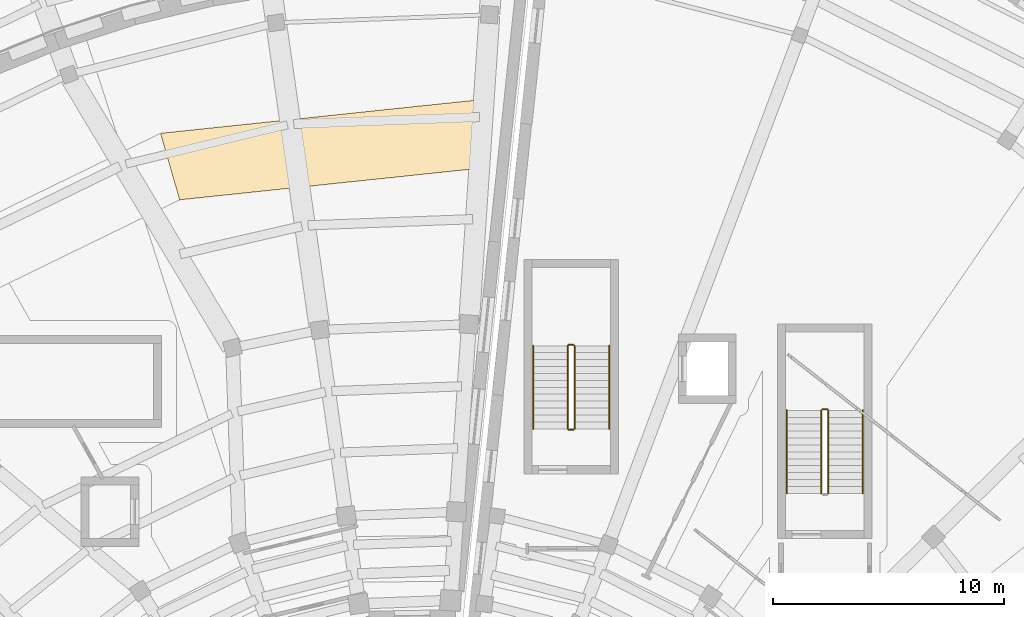
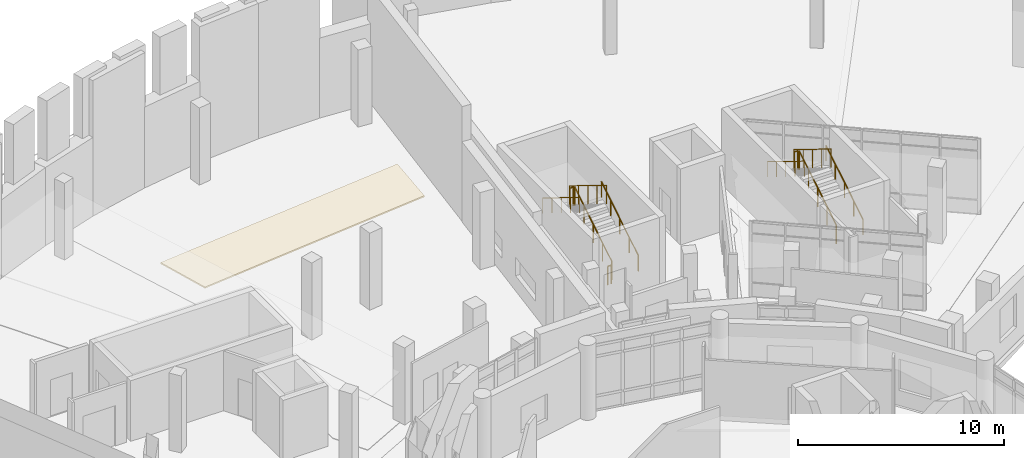
# One storey, part 47 of 49: 11 railings, 1 covering.
"""IFC4 building model written with IfcOpenShell, lengths in metres."""

from ifc_helpers import new_model, si_unit, direction, frame, origin, origin_2d, place, context, subcontext, project, spatial, polyline, circle, outline, extrude, material, layer, layer_set, type_object, element, save


model = new_model("IFC4")

# Units and contexts
model_context = context("Model", 3, precision=1e-05, world=origin(), true_north=direction((0.0, 1.0)))
body_context = subcontext(model_context, "Body", "Model", "MODEL_VIEW")
ifc_project = project(units=[si_unit("LENGTHUNIT", "METRE"), si_unit("AREAUNIT", "SQUARE_METRE"), si_unit("VOLUMEUNIT", "CUBIC_METRE"), si_unit("PLANEANGLEUNIT", "RADIAN"), si_unit("MASSUNIT", "GRAM", prefix="KILO")], contexts=[model_context])

# Site, building, storey
site_placement = place(None, origin())
site = spatial("IfcSite", under=ifc_project, at=site_placement, CompositionType="ELEMENT")
building_placement = place(site_placement, origin())
building = spatial("IfcBuilding", under=site, at=building_placement, Name="Soyqirgoq Riverine Aquarium", CompositionType="ELEMENT")
storey_placement = place(building_placement, frame((0.0, 0.0, 15.0)))
storey = spatial("IfcBuildingStorey", under=building, at=storey_placement, Name="L04", CompositionType="ELEMENT", Elevation=15.0)

# Covering
ifc_material_1 = material(Name="Perforated anodised aluminium travertine-tone soffit", Category="masonry")
ifc_layer = layer(ifc_material_1, 0.080078125)
ifc_layer_set = layer_set([ifc_layer], Name="Perforated anodised aluminium travertine-tone soffit")
covering_type = type_object("IfcCoveringType", Name="PrairieEaveSoffit_80", PredefinedType="CLADDING", material=ifc_layer_set)
covering_placement = place(storey_placement, frame((0.0, 0.0, -0.360107421875)))
element("IfcCovering", 1, at=covering_placement, inside=storey, type_object=covering_type, Name="V4 L04 Prairie Eave Travertine Soffit 05", PredefinedType="CLADDING", context=body_context, shape_type="SweptSolid", body=[
    extrude(outline(polyline([(58.650634765625, 94.907470703125), (58.860107421875, 97.900146484375), (44.698974609375, 96.41162109375), (45.52587890625, 93.52783203125), (58.650634765625, 94.907470703125)])), origin(), (0.0, 0.0, 1.0), 0.080078125),
])

# Railings
ifc_material_2 = material(Name="Brushed stainless steel 316L tubular handrail", Category="steel")
railing_type_1 = type_object("IfcRailingType", Name="StairPitchHandrail_920", PredefinedType="HANDRAIL", material=ifc_material_2)
railing_1_placement = place(storey_placement, frame((64.14990234375, 83.60009765625, 0.1845703125)))
element("IfcRailing", 2, at=railing_1_placement, inside=storey, type_object=railing_type_1, Name="L04 ST-5 stair handrail 1", PredefinedType="HANDRAIL", context=body_context, shape_type="SweptSolid", body=[
    extrude(circle(Radius=0.02392578125, at=origin_2d()), frame((0.0, 0.0, 0.89990234375), z_axis=(0.0, 0.851654350407, 0.524103870844), x_axis=(-1.0, 0.0, 0.0)), (0.0, 0.0, 1.0), 4.226806640625),
    extrude(circle(Radius=0.02099609375, at=origin_2d()), origin(), (0.0, 0.0, 1.0), 0.875732421875),
    extrude(circle(Radius=0.02099609375, at=origin_2d()), frame((0.0, 0.89990234375, 0.5537109375)), (0.0, 0.0, 1.0), 0.875732421875),
    extrude(circle(Radius=0.02099609375, at=origin_2d()), frame((0.0, 1.7998046875, 1.107666015625)), (0.0, 0.0, 1.0), 0.875732421875),
    extrude(circle(Radius=0.02099609375, at=origin_2d()), frame((0.0, 2.699951171875, 1.66162109375)), (0.0, 0.0, 1.0), 0.875732421875),
    extrude(circle(Radius=0.02099609375, at=origin_2d()), frame((0.0, 3.599853515625, 2.21533203125)), (0.0, 0.0, 1.0), 0.875732421875),
])
railing_2_placement = place(storey_placement, frame((60.85009765625, 87.199951171875, 2.584716796875)))
element("IfcRailing", 3, at=railing_2_placement, inside=storey, type_object=railing_type_1, Name="L04 ST-5 stair handrail 2", PredefinedType="HANDRAIL", context=body_context, shape_type="SweptSolid", body=[
    extrude(circle(Radius=0.02392578125, at=origin_2d()), frame((0.0, 0.0, 0.89990234375), z_axis=(0.0, -0.851654350407, 0.524103870844), x_axis=(1.0, 0.0, 0.0)), (0.0, 0.0, 1.0), 4.226806640625),
    extrude(circle(Radius=0.02099609375, at=origin_2d()), origin(), (0.0, 0.0, 1.0), 0.875732421875),
    extrude(circle(Radius=0.02099609375, at=origin_2d()), frame((0.0, -0.89990234375, 0.5537109375)), (0.0, 0.0, 1.0), 0.875732421875),
    extrude(circle(Radius=0.02099609375, at=origin_2d()), frame((0.0, -1.7998046875, 1.107666015625)), (0.0, 0.0, 1.0), 0.875732421875),
    extrude(circle(Radius=0.02099609375, at=origin_2d()), frame((0.0, -2.699951171875, 1.66162109375)), (0.0, 0.0, 1.0), 0.875732421875),
    extrude(circle(Radius=0.02099609375, at=origin_2d()), frame((0.0, -3.599853515625, 2.21533203125)), (0.0, 0.0, 1.0), 0.875732421875),
])
railing_3_placement = place(storey_placement, frame((75.14990234375, 80.800048828125, 0.1845703125)))
element("IfcRailing", 4, at=railing_3_placement, inside=storey, type_object=railing_type_1, Name="L04 ST-6 stair handrail 1", PredefinedType="HANDRAIL", context=body_context, shape_type="SweptSolid", body=[
    extrude(circle(Radius=0.02392578125, at=origin_2d()), frame((0.0, 0.0, 0.89990234375), z_axis=(0.0, 0.851654350407, 0.524103870844), x_axis=(-1.0, 0.0, 0.0)), (0.0, 0.0, 1.0), 4.226806640625),
    extrude(circle(Radius=0.02099609375, at=origin_2d()), origin(), (0.0, 0.0, 1.0), 0.875732421875),
    extrude(circle(Radius=0.02099609375, at=origin_2d()), frame((0.0, 0.89990234375, 0.5537109375)), (0.0, 0.0, 1.0), 0.875732421875),
    extrude(circle(Radius=0.02099609375, at=origin_2d()), frame((0.0, 1.7998046875, 1.107666015625)), (0.0, 0.0, 1.0), 0.875732421875),
    extrude(circle(Radius=0.02099609375, at=origin_2d()), frame((0.0, 2.699951171875, 1.66162109375)), (0.0, 0.0, 1.0), 0.875732421875),
    extrude(circle(Radius=0.02099609375, at=origin_2d()), frame((0.0, 3.599853515625, 2.21533203125)), (0.0, 0.0, 1.0), 0.875732421875),
])
railing_4_placement = place(storey_placement, frame((71.85009765625, 84.39990234375, 2.584716796875)))
element("IfcRailing", 5, at=railing_4_placement, inside=storey, type_object=railing_type_1, Name="L04 ST-6 stair handrail 2", PredefinedType="HANDRAIL", context=body_context, shape_type="SweptSolid", body=[
    extrude(circle(Radius=0.02392578125, at=origin_2d()), frame((0.0, 0.0, 0.89990234375), z_axis=(0.0, -0.851654350407, 0.524103870844), x_axis=(1.0, 0.0, 0.0)), (0.0, 0.0, 1.0), 4.226806640625),
    extrude(circle(Radius=0.02099609375, at=origin_2d()), origin(), (0.0, 0.0, 1.0), 0.875732421875),
    extrude(circle(Radius=0.02099609375, at=origin_2d()), frame((0.0, -0.89990234375, 0.5537109375)), (0.0, 0.0, 1.0), 0.875732421875),
    extrude(circle(Radius=0.02099609375, at=origin_2d()), frame((0.0, -1.7998046875, 1.107666015625)), (0.0, 0.0, 1.0), 0.875732421875),
    extrude(circle(Radius=0.02099609375, at=origin_2d()), frame((0.0, -2.699951171875, 1.66162109375)), (0.0, 0.0, 1.0), 0.875732421875),
    extrude(circle(Radius=0.02099609375, at=origin_2d()), frame((0.0, -3.599853515625, 2.21533203125)), (0.0, 0.0, 1.0), 0.875732421875),
])
ifc_material_3 = material(Name="Painted steel infill stair-well guardrail", Category="steel")
railing_type_2 = type_object("IfcRailingType", Name="StairWellGuard_1120", PredefinedType="GUARDRAIL", material=ifc_material_3)
railing_5_placement = place(storey_placement, frame((62.64990234375, 83.60009765625, 0.1845703125)))
element("IfcRailing", 6, at=railing_5_placement, inside=storey, type_object=railing_type_2, Name="L04 ST-5 stair guard 1", PredefinedType="GUARDRAIL", context=body_context, shape_type="SweptSolid", body=[
    extrude(circle(Radius=0.02392578125, at=origin_2d()), frame((0.0, 0.0, 1.09619140625), z_axis=(0.0, 0.851654350407, 0.524103870844), x_axis=(-1.0, 0.0, 0.0)), (0.0, 0.0, 1.0), 4.226806640625),
    extrude(circle(Radius=0.02099609375, at=origin_2d()), origin(), (0.0, 0.0, 1.0), 1.072021484375),
    extrude(circle(Radius=0.02099609375, at=origin_2d()), frame((0.0, 0.89990234375, 0.5537109375)), (0.0, 0.0, 1.0), 1.072021484375),
    extrude(circle(Radius=0.02099609375, at=origin_2d()), frame((0.0, 1.7998046875, 1.107666015625)), (0.0, 0.0, 1.0), 1.072021484375),
    extrude(circle(Radius=0.02099609375, at=origin_2d()), frame((0.0, 2.699951171875, 1.66162109375)), (0.0, 0.0, 1.0), 1.072021484375),
    extrude(circle(Radius=0.02099609375, at=origin_2d()), frame((0.0, 3.599853515625, 2.21533203125)), (0.0, 0.0, 1.0), 1.072021484375),
])
railing_6_placement = place(storey_placement, frame((62.60009765625, 87.25, 2.39990234375)))
element("IfcRailing", 7, at=railing_6_placement, inside=storey, type_object=railing_type_2, Name="L04 ST-5 stair guard 2", PredefinedType="GUARDRAIL", context=body_context, shape_type="SweptSolid", body=[
    extrude(circle(Radius=0.02392578125, at=origin_2d()), frame((0.0, 0.0, 1.09619140625), z_axis=(-1.0, 0.0, 0.0), x_axis=(0.0, -1.0, 0.0)), (0.0, 0.0, 1.0), 0.2001953125),
    extrude(circle(Radius=0.02099609375, at=origin_2d()), origin(), (0.0, 0.0, 1.0), 1.072021484375),
    extrude(circle(Radius=0.02099609375, at=origin_2d()), frame((-0.2001953125, 0.0, 0.0)), (0.0, 0.0, 1.0), 1.072021484375),
])
railing_7_placement = place(storey_placement, frame((62.35009765625, 87.199951171875, 2.584716796875)))
element("IfcRailing", 8, at=railing_7_placement, inside=storey, type_object=railing_type_2, Name="L04 ST-5 stair guard 3", PredefinedType="GUARDRAIL", context=body_context, shape_type="SweptSolid", body=[
    extrude(circle(Radius=0.02392578125, at=origin_2d()), frame((0.0, 0.0, 1.09619140625), z_axis=(0.0, -0.851654350407, 0.524103870844), x_axis=(1.0, 0.0, 0.0)), (0.0, 0.0, 1.0), 4.226806640625),
    extrude(circle(Radius=0.02099609375, at=origin_2d()), origin(), (0.0, 0.0, 1.0), 1.072021484375),
    extrude(circle(Radius=0.02099609375, at=origin_2d()), frame((0.0, -0.89990234375, 0.5537109375)), (0.0, 0.0, 1.0), 1.072021484375),
    extrude(circle(Radius=0.02099609375, at=origin_2d()), frame((0.0, -1.7998046875, 1.107666015625)), (0.0, 0.0, 1.0), 1.072021484375),
    extrude(circle(Radius=0.02099609375, at=origin_2d()), frame((0.0, -2.699951171875, 1.66162109375)), (0.0, 0.0, 1.0), 1.072021484375),
    extrude(circle(Radius=0.02099609375, at=origin_2d()), frame((0.0, -3.599853515625, 2.21533203125)), (0.0, 0.0, 1.0), 1.072021484375),
])
railing_8_placement = place(storey_placement, frame((62.60009765625, 83.550048828125, 0.0)))
element("IfcRailing", 9, at=railing_8_placement, inside=storey, type_object=railing_type_2, Name="L04 ST-5 stair guard 4", PredefinedType="GUARDRAIL", context=body_context, shape_type="SweptSolid", body=[
    extrude(circle(Radius=0.02392578125, at=origin_2d()), frame((0.0, 0.0, 1.09619140625), z_axis=(-1.0, 0.0, 0.0), x_axis=(0.0, -1.0, 0.0)), (0.0, 0.0, 1.0), 0.2001953125),
    extrude(circle(Radius=0.02099609375, at=origin_2d()), origin(), (0.0, 0.0, 1.0), 1.072021484375),
    extrude(circle(Radius=0.02099609375, at=origin_2d()), frame((-0.2001953125, 0.0, 0.0)), (0.0, 0.0, 1.0), 1.072021484375),
])
railing_9_placement = place(storey_placement, frame((73.64990234375, 80.800048828125, 0.1845703125)))
element("IfcRailing", 10, at=railing_9_placement, inside=storey, type_object=railing_type_2, Name="L04 ST-6 stair guard 1", PredefinedType="GUARDRAIL", context=body_context, shape_type="SweptSolid", body=[
    extrude(circle(Radius=0.02392578125, at=origin_2d()), frame((0.0, 0.0, 1.09619140625), z_axis=(0.0, 0.851654350407, 0.524103870844), x_axis=(-1.0, 0.0, 0.0)), (0.0, 0.0, 1.0), 4.226806640625),
    extrude(circle(Radius=0.02099609375, at=origin_2d()), origin(), (0.0, 0.0, 1.0), 1.072021484375),
    extrude(circle(Radius=0.02099609375, at=origin_2d()), frame((0.0, 0.89990234375, 0.5537109375)), (0.0, 0.0, 1.0), 1.072021484375),
    extrude(circle(Radius=0.02099609375, at=origin_2d()), frame((0.0, 1.7998046875, 1.107666015625)), (0.0, 0.0, 1.0), 1.072021484375),
    extrude(circle(Radius=0.02099609375, at=origin_2d()), frame((0.0, 2.699951171875, 1.66162109375)), (0.0, 0.0, 1.0), 1.072021484375),
    extrude(circle(Radius=0.02099609375, at=origin_2d()), frame((0.0, 3.599853515625, 2.21533203125)), (0.0, 0.0, 1.0), 1.072021484375),
])
railing_10_placement = place(storey_placement, frame((73.60009765625, 84.449951171875, 2.39990234375)))
element("IfcRailing", 11, at=railing_10_placement, inside=storey, type_object=railing_type_2, Name="L04 ST-6 stair guard 2", PredefinedType="GUARDRAIL", context=body_context, shape_type="SweptSolid", body=[
    extrude(circle(Radius=0.02392578125, at=origin_2d()), frame((0.0, 0.0, 1.09619140625), z_axis=(-1.0, 0.0, 0.0), x_axis=(0.0, -1.0, 0.0)), (0.0, 0.0, 1.0), 0.2001953125),
    extrude(circle(Radius=0.02099609375, at=origin_2d()), origin(), (0.0, 0.0, 1.0), 1.072021484375),
    extrude(circle(Radius=0.02099609375, at=origin_2d()), frame((-0.2001953125, 0.0, 0.0)), (0.0, 0.0, 1.0), 1.072021484375),
])
railing_11_placement = place(storey_placement, frame((73.35009765625, 84.39990234375, 2.584716796875)))
element("IfcRailing", 12, at=railing_11_placement, inside=storey, type_object=railing_type_2, Name="L04 ST-6 stair guard 3", PredefinedType="GUARDRAIL", context=body_context, shape_type="SweptSolid", body=[
    extrude(circle(Radius=0.02392578125, at=origin_2d()), frame((0.0, 0.0, 1.09619140625), z_axis=(0.0, -0.851654350407, 0.524103870844), x_axis=(1.0, 0.0, 0.0)), (0.0, 0.0, 1.0), 4.226806640625),
    extrude(circle(Radius=0.02099609375, at=origin_2d()), origin(), (0.0, 0.0, 1.0), 1.072021484375),
    extrude(circle(Radius=0.02099609375, at=origin_2d()), frame((0.0, -0.89990234375, 0.5537109375)), (0.0, 0.0, 1.0), 1.072021484375),
    extrude(circle(Radius=0.02099609375, at=origin_2d()), frame((0.0, -1.7998046875, 1.107666015625)), (0.0, 0.0, 1.0), 1.072021484375),
    extrude(circle(Radius=0.02099609375, at=origin_2d()), frame((0.0, -2.699951171875, 1.66162109375)), (0.0, 0.0, 1.0), 1.072021484375),
    extrude(circle(Radius=0.02099609375, at=origin_2d()), frame((0.0, -3.599853515625, 2.21533203125)), (0.0, 0.0, 1.0), 1.072021484375),
])

save(model, "model.ifc")
